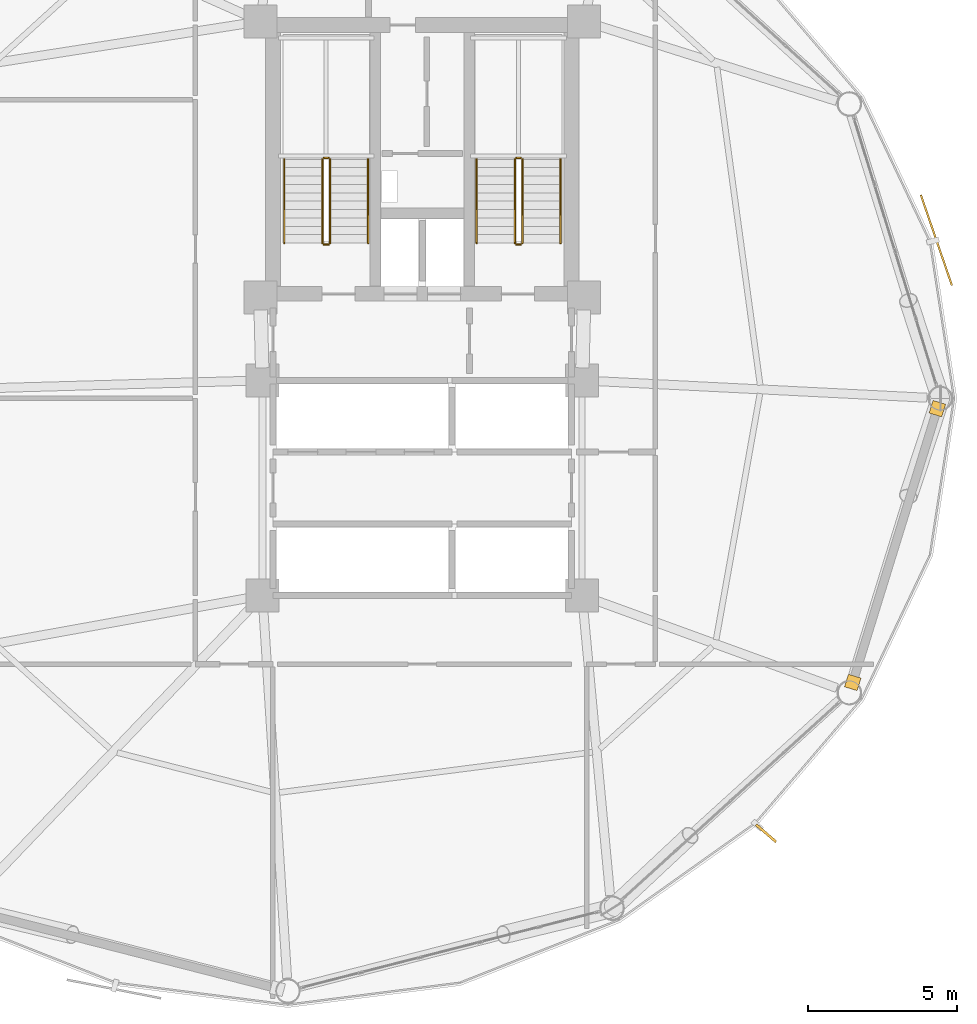
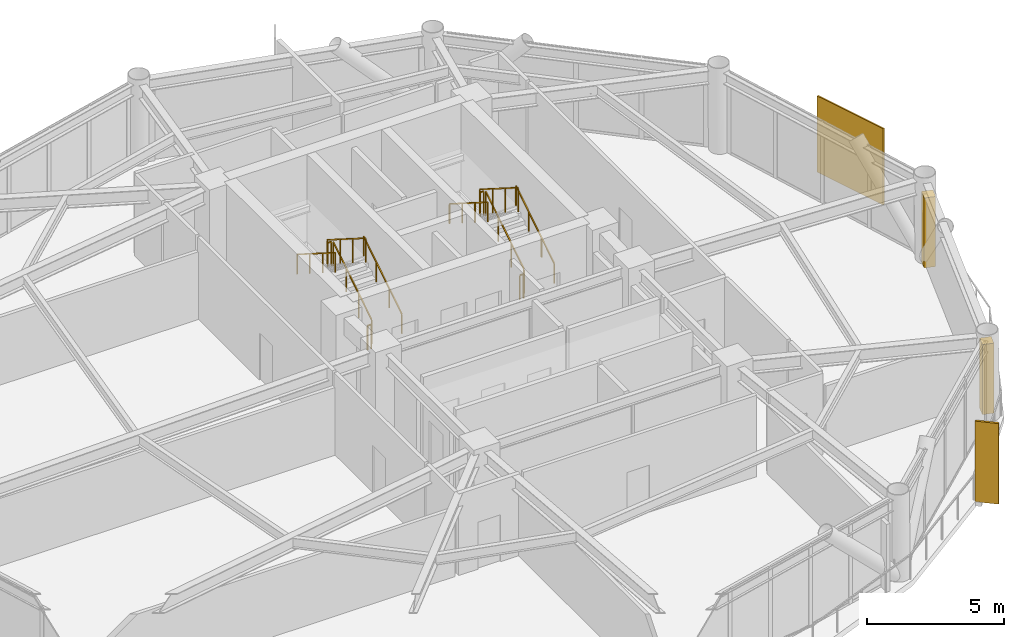
# One storey, part 25 of 26: 12 railings, 2 coverings, 2 shading devices.
"""IFC4 building model written with IfcOpenShell, lengths in metres."""

from ifc_helpers import new_model, si_unit, direction, frame, origin, origin_2d, place, context, subcontext, project, spatial, rectangle, extrude, source, transform, mapped, material, layer, layer_set, type_object, type_shapes, element, save


model = new_model("IFC4")

# Units and contexts
model_context = context("Model", 3, precision=1e-05, world=origin(), true_north=direction((0.0, 1.0)))
body_context = subcontext(model_context, "Body", "Model", "MODEL_VIEW")
ifc_project = project(units=[si_unit("LENGTHUNIT", "METRE"), si_unit("AREAUNIT", "SQUARE_METRE"), si_unit("VOLUMEUNIT", "CUBIC_METRE"), si_unit("PLANEANGLEUNIT", "RADIAN"), si_unit("MASSUNIT", "GRAM", prefix="KILO")], contexts=[model_context])

# Site, building, storey
site_placement = place(None, origin())
site = spatial("IfcSite", under=ifc_project, at=site_placement, CompositionType="ELEMENT")
building_placement = place(site_placement, origin())
building = spatial("IfcBuilding", under=site, at=building_placement, Name="Varnakorn Sky Granary", CompositionType="ELEMENT")
storey_placement = place(building_placement, frame((0.0, 0.0, 87.60009765625)))
storey = spatial("IfcBuildingStorey", under=building, at=storey_placement, Name="L21", CompositionType="ELEMENT", Elevation=87.60009765625)

# Railings
ifc_material_1 = material(Name="Brushed Stainless Steel 316", Category="steel")
railing_type_1 = type_object("IfcRailingType", Name="RL-STAIR-1100", PredefinedType="GUARDRAIL", material=ifc_material_1)
railing_1_placement = place(storey_placement, frame((-0.090087890625, 5.199951171875, 0.17724609375)))
element("IfcRailing", 1, at=railing_1_placement, inside=storey, type_object=railing_type_1, Name="L21 ST-1 stair guard 1", PredefinedType="GUARDRAIL", context=body_context, shape_type="SweptSolid", body=[
    extrude(rectangle(XDim=0.048095703125, YDim=0.048095703125, at=origin_2d()), frame((0.0, 0.0, 1.076171875), z_axis=(0.0, 0.844908973607, 0.534910110503), x_axis=(-1.0, 0.0, 0.0)), (0.0, 0.0, 1.0), 3.31396484375),
    extrude(rectangle(XDim=0.0419921875, YDim=0.0419921875, at=origin_2d()), origin(), (0.0, 0.0, 1.0), 1.048095703125),
    extrude(rectangle(XDim=0.0419921875, YDim=0.0419921875, at=origin_2d()), frame((0.0, 0.933349609375, 0.5908203125)), (0.0, 0.0, 1.0), 1.048095703125),
    extrude(rectangle(XDim=0.0419921875, YDim=0.0419921875, at=origin_2d()), frame((0.0, 1.86669921875, 1.181884765625)), (0.0, 0.0, 1.0), 1.048095703125),
    extrude(rectangle(XDim=0.0419921875, YDim=0.0419921875, at=origin_2d()), frame((0.0, 2.800048828125, 1.772705078125)), (0.0, 0.0, 1.0), 1.048095703125),
])
railing_2_placement = place(storey_placement, frame((-0.139892578125, 8.050048828125, 1.949951171875)))
element("IfcRailing", 2, at=railing_2_placement, inside=storey, type_object=railing_type_1, Name="L21 ST-1 stair guard 2", PredefinedType="GUARDRAIL", context=body_context, shape_type="SweptSolid", body=[
    extrude(rectangle(XDim=0.048095703125, YDim=0.048095703125, at=origin_2d()), frame((0.0, 0.0, 1.076171875), z_axis=(-1.0, 0.0, 0.0), x_axis=(0.0, -1.0, 0.0)), (0.0, 0.0, 1.0), 0.150146484375),
    extrude(rectangle(XDim=0.0419921875, YDim=0.0419921875, at=origin_2d()), origin(), (0.0, 0.0, 1.0), 1.048095703125),
    extrude(rectangle(XDim=0.0419921875, YDim=0.0419921875, at=origin_2d()), frame((-0.150146484375, 0.0, 0.0)), (0.0, 0.0, 1.0), 1.048095703125),
])
railing_3_placement = place(storey_placement, frame((-0.340087890625, 8.0, 2.127197265625)))
element("IfcRailing", 3, at=railing_3_placement, inside=storey, type_object=railing_type_1, Name="L21 ST-1 stair guard 3", PredefinedType="GUARDRAIL", context=body_context, shape_type="SweptSolid", body=[
    extrude(rectangle(XDim=0.048095703125, YDim=0.048095703125, at=origin_2d()), frame((0.0, 0.0, 1.076171875), z_axis=(0.0, -0.844908973607, 0.534910110503), x_axis=(1.0, 0.0, 0.0)), (0.0, 0.0, 1.0), 3.31396484375),
    extrude(rectangle(XDim=0.0419921875, YDim=0.0419921875, at=origin_2d()), origin(), (0.0, 0.0, 1.0), 1.048095703125),
    extrude(rectangle(XDim=0.0419921875, YDim=0.0419921875, at=origin_2d()), frame((0.0, -0.933349609375, 0.5908203125)), (0.0, 0.0, 1.0), 1.048095703125),
    extrude(rectangle(XDim=0.0419921875, YDim=0.0419921875, at=origin_2d()), frame((0.0, -1.86669921875, 1.181884765625)), (0.0, 0.0, 1.0), 1.048095703125),
    extrude(rectangle(XDim=0.0419921875, YDim=0.0419921875, at=origin_2d()), frame((0.0, -2.800048828125, 1.772705078125)), (0.0, 0.0, 1.0), 1.048095703125),
])
railing_4_placement = place(storey_placement, frame((-0.139892578125, 5.14990234375, 0.0)))
element("IfcRailing", 4, at=railing_4_placement, inside=storey, type_object=railing_type_1, Name="L21 ST-1 stair guard 4", PredefinedType="GUARDRAIL", context=body_context, shape_type="SweptSolid", body=[
    extrude(rectangle(XDim=0.048095703125, YDim=0.048095703125, at=origin_2d()), frame((0.0, 0.0, 1.076171875), z_axis=(-1.0, 0.0, 0.0), x_axis=(0.0, -1.0, 0.0)), (0.0, 0.0, 1.0), 0.150146484375),
    extrude(rectangle(XDim=0.0419921875, YDim=0.0419921875, at=origin_2d()), origin(), (0.0, 0.0, 1.0), 1.048095703125),
    extrude(rectangle(XDim=0.0419921875, YDim=0.0419921875, at=origin_2d()), frame((-0.150146484375, 0.0, 0.0)), (0.0, 0.0, 1.0), 1.048095703125),
])
railing_5_placement = place(storey_placement, frame((6.35009765625, 5.199951171875, 0.17724609375)))
element("IfcRailing", 5, at=railing_5_placement, inside=storey, type_object=railing_type_1, Name="L21 ST-2 stair guard 1", PredefinedType="GUARDRAIL", context=body_context, shape_type="SweptSolid", body=[
    extrude(rectangle(XDim=0.048095703125, YDim=0.048095703125, at=origin_2d()), frame((0.0, 0.0, 1.076171875), z_axis=(0.0, 0.844908973607, 0.534910110503), x_axis=(-1.0, 0.0, 0.0)), (0.0, 0.0, 1.0), 3.31396484375),
    extrude(rectangle(XDim=0.0419921875, YDim=0.0419921875, at=origin_2d()), origin(), (0.0, 0.0, 1.0), 1.048095703125),
    extrude(rectangle(XDim=0.0419921875, YDim=0.0419921875, at=origin_2d()), frame((0.0, 0.933349609375, 0.5908203125)), (0.0, 0.0, 1.0), 1.048095703125),
    extrude(rectangle(XDim=0.0419921875, YDim=0.0419921875, at=origin_2d()), frame((0.0, 1.86669921875, 1.181884765625)), (0.0, 0.0, 1.0), 1.048095703125),
    extrude(rectangle(XDim=0.0419921875, YDim=0.0419921875, at=origin_2d()), frame((0.0, 2.800048828125, 1.772705078125)), (0.0, 0.0, 1.0), 1.048095703125),
])
railing_6_placement = place(storey_placement, frame((6.300048828125, 8.050048828125, 1.949951171875)))
element("IfcRailing", 6, at=railing_6_placement, inside=storey, type_object=railing_type_1, Name="L21 ST-2 stair guard 2", PredefinedType="GUARDRAIL", context=body_context, shape_type="SweptSolid", body=[
    extrude(rectangle(XDim=0.048095703125, YDim=0.048095703125, at=origin_2d()), frame((0.0, 0.0, 1.076171875), z_axis=(-1.0, 0.0, 0.0), x_axis=(0.0, -1.0, 0.0)), (0.0, 0.0, 1.0), 0.150146484375),
    extrude(rectangle(XDim=0.0419921875, YDim=0.0419921875, at=origin_2d()), origin(), (0.0, 0.0, 1.0), 1.048095703125),
    extrude(rectangle(XDim=0.0419921875, YDim=0.0419921875, at=origin_2d()), frame((-0.150146484375, 0.0, 0.0)), (0.0, 0.0, 1.0), 1.048095703125),
])
railing_7_placement = place(storey_placement, frame((6.10009765625, 8.0, 2.127197265625)))
element("IfcRailing", 7, at=railing_7_placement, inside=storey, type_object=railing_type_1, Name="L21 ST-2 stair guard 3", PredefinedType="GUARDRAIL", context=body_context, shape_type="SweptSolid", body=[
    extrude(rectangle(XDim=0.048095703125, YDim=0.048095703125, at=origin_2d()), frame((0.0, 0.0, 1.076171875), z_axis=(0.0, -0.844908973607, 0.534910110503), x_axis=(1.0, 0.0, 0.0)), (0.0, 0.0, 1.0), 3.31396484375),
    extrude(rectangle(XDim=0.0419921875, YDim=0.0419921875, at=origin_2d()), origin(), (0.0, 0.0, 1.0), 1.048095703125),
    extrude(rectangle(XDim=0.0419921875, YDim=0.0419921875, at=origin_2d()), frame((0.0, -0.933349609375, 0.5908203125)), (0.0, 0.0, 1.0), 1.048095703125),
    extrude(rectangle(XDim=0.0419921875, YDim=0.0419921875, at=origin_2d()), frame((0.0, -1.86669921875, 1.181884765625)), (0.0, 0.0, 1.0), 1.048095703125),
    extrude(rectangle(XDim=0.0419921875, YDim=0.0419921875, at=origin_2d()), frame((0.0, -2.800048828125, 1.772705078125)), (0.0, 0.0, 1.0), 1.048095703125),
])
railing_8_placement = place(storey_placement, frame((6.300048828125, 5.14990234375, 0.0)))
element("IfcRailing", 8, at=railing_8_placement, inside=storey, type_object=railing_type_1, Name="L21 ST-2 stair guard 4", PredefinedType="GUARDRAIL", context=body_context, shape_type="SweptSolid", body=[
    extrude(rectangle(XDim=0.048095703125, YDim=0.048095703125, at=origin_2d()), frame((0.0, 0.0, 1.076171875), z_axis=(-1.0, 0.0, 0.0), x_axis=(0.0, -1.0, 0.0)), (0.0, 0.0, 1.0), 0.150146484375),
    extrude(rectangle(XDim=0.0419921875, YDim=0.0419921875, at=origin_2d()), origin(), (0.0, 0.0, 1.0), 1.048095703125),
    extrude(rectangle(XDim=0.0419921875, YDim=0.0419921875, at=origin_2d()), frame((-0.150146484375, 0.0, 0.0)), (0.0, 0.0, 1.0), 1.048095703125),
])
railing_type_2 = type_object("IfcRailingType", Name="RL-STAIR-920", PredefinedType="HANDRAIL", material=ifc_material_1)
railing_9_placement = place(storey_placement, frame((1.18994140625, 5.199951171875, 0.17724609375)))
element("IfcRailing", 9, at=railing_9_placement, inside=storey, type_object=railing_type_2, Name="L21 ST-1 stair handrail 1", PredefinedType="HANDRAIL", context=body_context, shape_type="SweptSolid", body=[
    extrude(rectangle(XDim=0.048095703125, YDim=0.048095703125, at=origin_2d()), frame((0.0, 0.0, 0.8759765625), z_axis=(0.0, 0.844908973607, 0.534910110503), x_axis=(-1.0, 0.0, 0.0)), (0.0, 0.0, 1.0), 3.31396484375),
    extrude(rectangle(XDim=0.0419921875, YDim=0.0419921875, at=origin_2d()), origin(), (0.0, 0.0, 1.0), 0.847900390625),
    extrude(rectangle(XDim=0.0419921875, YDim=0.0419921875, at=origin_2d()), frame((0.0, 0.933349609375, 0.5908203125)), (0.0, 0.0, 1.0), 0.847900390625),
    extrude(rectangle(XDim=0.0419921875, YDim=0.0419921875, at=origin_2d()), frame((0.0, 1.86669921875, 1.181884765625)), (0.0, 0.0, 1.0), 0.847900390625),
    extrude(rectangle(XDim=0.0419921875, YDim=0.0419921875, at=origin_2d()), frame((0.0, 2.800048828125, 1.772705078125)), (0.0, 0.0, 1.0), 0.847900390625),
])
railing_10_placement = place(storey_placement, frame((-1.6201171875, 8.0, 2.127197265625)))
element("IfcRailing", 10, at=railing_10_placement, inside=storey, type_object=railing_type_2, Name="L21 ST-1 stair handrail 2", PredefinedType="HANDRAIL", context=body_context, shape_type="SweptSolid", body=[
    extrude(rectangle(XDim=0.048095703125, YDim=0.048095703125, at=origin_2d()), frame((0.0, 0.0, 0.8759765625), z_axis=(0.0, -0.844908973607, 0.534910110503), x_axis=(1.0, 0.0, 0.0)), (0.0, 0.0, 1.0), 3.31396484375),
    extrude(rectangle(XDim=0.0419921875, YDim=0.0419921875, at=origin_2d()), origin(), (0.0, 0.0, 1.0), 0.847900390625),
    extrude(rectangle(XDim=0.0419921875, YDim=0.0419921875, at=origin_2d()), frame((0.0, -0.933349609375, 0.5908203125)), (0.0, 0.0, 1.0), 0.847900390625),
    extrude(rectangle(XDim=0.0419921875, YDim=0.0419921875, at=origin_2d()), frame((0.0, -1.86669921875, 1.181884765625)), (0.0, 0.0, 1.0), 0.847900390625),
    extrude(rectangle(XDim=0.0419921875, YDim=0.0419921875, at=origin_2d()), frame((0.0, -2.800048828125, 1.772705078125)), (0.0, 0.0, 1.0), 0.847900390625),
])
railing_11_placement = place(storey_placement, frame((7.6298828125, 5.199951171875, 0.17724609375)))
element("IfcRailing", 11, at=railing_11_placement, inside=storey, type_object=railing_type_2, Name="L21 ST-2 stair handrail 1", PredefinedType="HANDRAIL", context=body_context, shape_type="SweptSolid", body=[
    extrude(rectangle(XDim=0.048095703125, YDim=0.048095703125, at=origin_2d()), frame((0.0, 0.0, 0.8759765625), z_axis=(0.0, 0.844908973607, 0.534910110503), x_axis=(-1.0, 0.0, 0.0)), (0.0, 0.0, 1.0), 3.31396484375),
    extrude(rectangle(XDim=0.0419921875, YDim=0.0419921875, at=origin_2d()), origin(), (0.0, 0.0, 1.0), 0.847900390625),
    extrude(rectangle(XDim=0.0419921875, YDim=0.0419921875, at=origin_2d()), frame((0.0, 0.933349609375, 0.5908203125)), (0.0, 0.0, 1.0), 0.847900390625),
    extrude(rectangle(XDim=0.0419921875, YDim=0.0419921875, at=origin_2d()), frame((0.0, 1.86669921875, 1.181884765625)), (0.0, 0.0, 1.0), 0.847900390625),
    extrude(rectangle(XDim=0.0419921875, YDim=0.0419921875, at=origin_2d()), frame((0.0, 2.800048828125, 1.772705078125)), (0.0, 0.0, 1.0), 0.847900390625),
])
railing_12_placement = place(storey_placement, frame((4.820068359375, 8.0, 2.127197265625)))
element("IfcRailing", 12, at=railing_12_placement, inside=storey, type_object=railing_type_2, Name="L21 ST-2 stair handrail 2", PredefinedType="HANDRAIL", context=body_context, shape_type="SweptSolid", body=[
    extrude(rectangle(XDim=0.048095703125, YDim=0.048095703125, at=origin_2d()), frame((0.0, 0.0, 0.8759765625), z_axis=(0.0, -0.844908973607, 0.534910110503), x_axis=(1.0, 0.0, 0.0)), (0.0, 0.0, 1.0), 3.31396484375),
    extrude(rectangle(XDim=0.0419921875, YDim=0.0419921875, at=origin_2d()), origin(), (0.0, 0.0, 1.0), 0.847900390625),
    extrude(rectangle(XDim=0.0419921875, YDim=0.0419921875, at=origin_2d()), frame((0.0, -0.933349609375, 0.5908203125)), (0.0, 0.0, 1.0), 0.847900390625),
    extrude(rectangle(XDim=0.0419921875, YDim=0.0419921875, at=origin_2d()), frame((0.0, -1.86669921875, 1.181884765625)), (0.0, 0.0, 1.0), 0.847900390625),
    extrude(rectangle(XDim=0.0419921875, YDim=0.0419921875, at=origin_2d()), frame((0.0, -2.800048828125, 1.772705078125)), (0.0, 0.0, 1.0), 0.847900390625),
])

# Shading devices
ifc_material_2 = material(Name="Anodised Bronze Aluminium Alloy 6063-T6", Category="aluminium")
shading_device_type_1 = type_object("IfcShadingDeviceType", Name="SH-FIN-01", PredefinedType="USERDEFINED", material=ifc_material_2)
shared_shape_1 = source(origin(), body_context, "Body", "SweptSolid", [
    extrude(rectangle(XDim=0.0849609375, YDim=0.8798828125, at=origin_2d()), origin(), (0.0, 0.0, 1.0), 3.60009765625),
])
type_shapes(shading_device_type_1, [shared_shape_1])
shading_device_1_placement = place(storey_placement, frame((14.51171875, -14.562744140625, -0.0400390625), z_axis=(0.0, 0.0, 1.0), x_axis=(0.653065698102, 0.757301257072, 0.0)))
element("IfcShadingDevice", 13, at=shading_device_1_placement, inside=storey, type_object=shading_device_type_1, Name="Bronze Solar-Tracking Vertical Blade FIN L21-11", ObjectType="FIN", PredefinedType="USERDEFINED", context=body_context, shape_type="MappedRepresentation", body=[
    mapped(shared_shape_1, transform((0.0, 0.0, 0.0), x_axis=(1.0, 0.0, 0.0), y_axis=(0.0, 1.0, 0.0), z_axis=(0.0, 0.0, 1.0), scale=1.0)),
])
shading_device_type_2 = type_object("IfcShadingDeviceType", Name="SH-SCR-01", PredefinedType="USERDEFINED", material=ifc_material_2)
shared_shape_2 = source(origin(), body_context, "Body", "SweptSolid", [
    extrude(rectangle(XDim=3.199951171875, YDim=0.06494140625, at=origin_2d()), origin(), (0.0, 0.0, 1.0), 3.39990234375),
])
type_shapes(shading_device_type_2, [shared_shape_2])
shading_device_2_placement = place(storey_placement, frame((20.210693359375, 5.294189453125, -0.0400390625), z_axis=(0.0, 0.0, 1.0), x_axis=(-0.324808344529, 0.945779857749, 0.0)))
element("IfcShadingDevice", 14, at=shading_device_2_placement, inside=storey, type_object=shading_device_type_2, Name="Perforated Bronze Solar Screen Panel SCREEN L21-01", ObjectType="SCREEN", PredefinedType="USERDEFINED", context=body_context, shape_type="MappedRepresentation", body=[
    mapped(shared_shape_2, transform((0.0, 0.0, 0.0), x_axis=(1.0, 0.0, 0.0), y_axis=(0.0, 1.0, 0.0), z_axis=(0.0, 0.0, 1.0), scale=1.0)),
])

# Coverings
ifc_layer = layer(ifc_material_2, 0.050048828125, Name="Anodised Bronze Aluminium Alloy 6063-T6")
ifc_layer_set = layer_set([ifc_layer], Name="Anodised Bronze Aluminium Alloy 6063-T6")
covering_type = type_object("IfcCoveringType", Name="CV-CLAD-50", PredefinedType="CLADDING", material=ifc_layer_set)
shared_shape_3 = source(origin(), body_context, "Body", "SweptSolid", [
    extrude(rectangle(XDim=0.43994140625, YDim=0.43994140625, at=origin_2d()), origin(), (0.0, 0.0, 1.0), 3.1298828125),
])
type_shapes(covering_type, [shared_shape_3])
for number, where, z_axis, x_axis, name in (
    (15, (20.243408203125, -0.345458984375, -0.02001953125), (0.0, 0.0, 1.0), (-0.295041067928, -0.955484572474, 0.0), "Bronze Corner Pilaster Closure L21-P12-A"),
    (16, (17.412353515625, -9.51220703125, -0.02001953125), (0.0, 0.0, 1.0), (-0.295041067928, -0.955484572474, 0.0), "Bronze Corner Pilaster Closure L21-P12-B"),
):
    element("IfcCovering", number, at=place(storey_placement, frame(where, z_axis=z_axis, x_axis=x_axis)), inside=storey, type_object=covering_type, Name=name, PredefinedType="CLADDING", context=body_context, shape_type="MappedRepresentation", body=[
        mapped(shared_shape_3, transform((0.0, 0.0, 0.0), x_axis=(1.0, 0.0, 0.0), y_axis=(0.0, 1.0, 0.0), z_axis=(0.0, 0.0, 1.0), scale=1.0)),
    ])

save(model, "model.ifc")
